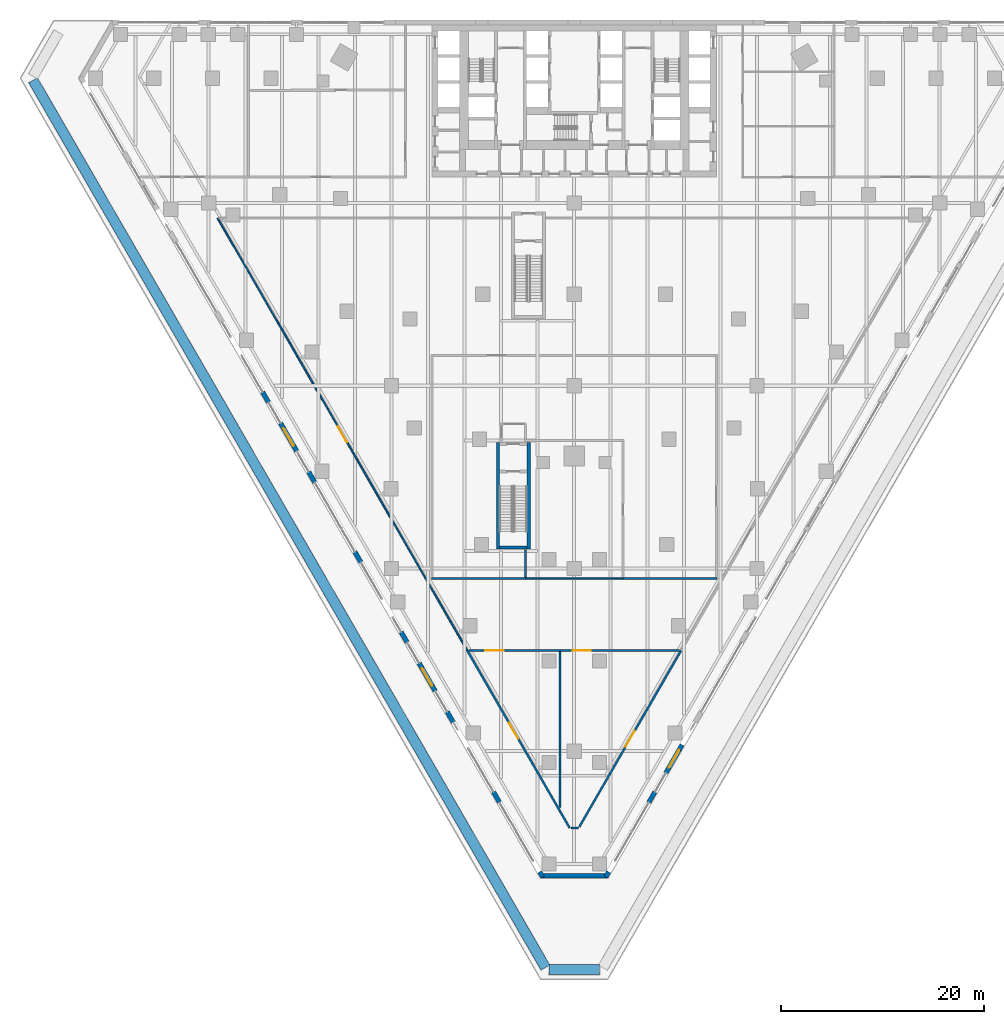
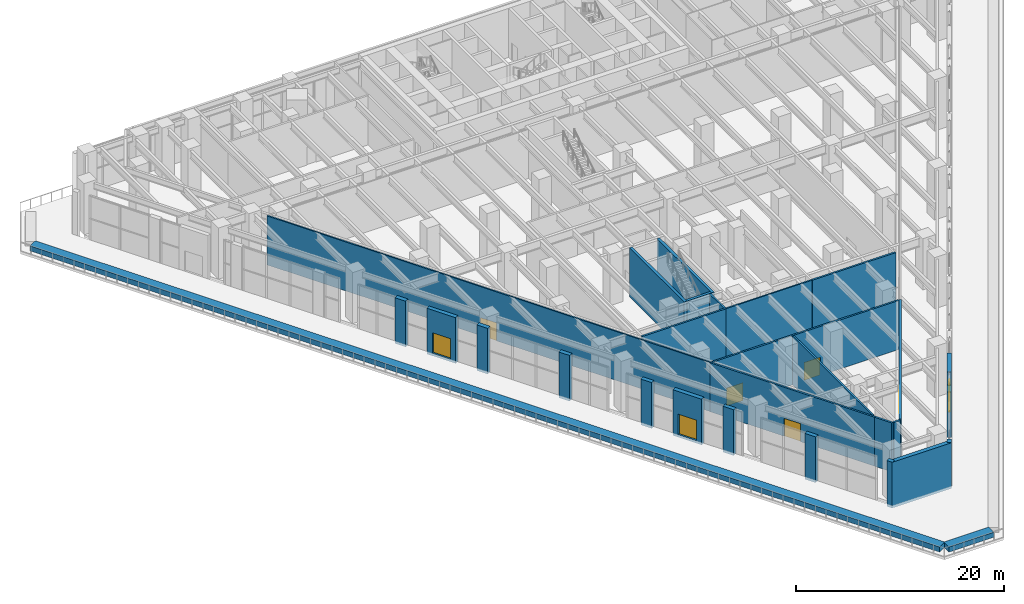
# One storey, part 28 of 40: 30 walls, 8 doors, 8 openings.
"""IFC4 building model written with IfcOpenShell, lengths in metres."""

from ifc_helpers import new_model, si_unit, direction, frame, frame_2d, origin, place, context, subcontext, project, spatial, polyline, rectangle, outline, extrude, material, layer, layer_set, type_object, element, fill, save


model = new_model("IFC4")

# Units and contexts
model_context = context("Model", 3, precision=1e-05, world=origin(), true_north=direction((0.0, 1.0)))
body_context = subcontext(model_context, "Body", "Model", "MODEL_VIEW")
ifc_project = project(units=[si_unit("LENGTHUNIT", "METRE"), si_unit("AREAUNIT", "SQUARE_METRE"), si_unit("VOLUMEUNIT", "CUBIC_METRE"), si_unit("PLANEANGLEUNIT", "RADIAN"), si_unit("MASSUNIT", "GRAM", prefix="KILO")], contexts=[model_context])

# Site, building, storey
site_placement = place(None, origin())
site = spatial("IfcSite", under=ifc_project, at=site_placement, CompositionType="ELEMENT")
building_placement = place(site_placement, origin())
building = spatial("IfcBuilding", under=site, at=building_placement, Name="Aloe Facet Convention Tower", CompositionType="ELEMENT")
storey_placement = place(building_placement, frame((0.0, 0.0, 13.5)))
storey = spatial("IfcBuildingStorey", under=building, at=storey_placement, Name="L02", CompositionType="ELEMENT", Elevation=13.5)

# Walls
ifc_material_1 = material(Name="Concrete C50/60", Category="concrete")
ifc_layer_1 = layer(ifc_material_1, 0.300048828125)
ifc_layer_set_1 = layer_set([ifc_layer_1], Name="CR-W-RC300-C5060")
wall_type_1 = type_object("IfcWallType", Name="CR-W-RC300-C5060", PredefinedType="SOLIDWALL", material=ifc_layer_set_1)
for number, where, z_axis, x_axis, name in (
    (1, (72.47509765625, 82.89990234375, 0.0), (0.0, 0.0, 1.0), (0.0, 1.0, 0.0), "Exit stair wall L02-01"),
    (2, (75.52490234375, 82.89990234375, 0.0), (0.0, 0.0, 1.0), (0.0, 1.0, 0.0), "Exit stair wall L02-02"),
):
    element("IfcWall", number, at=place(storey_placement, frame(where, z_axis=z_axis, x_axis=x_axis)), inside=storey, type_object=wall_type_1, Name=name, PredefinedType="SOLIDWALL", context=body_context, shape_type="SweptSolid", body=[
        extrude(rectangle(XDim=10.5, YDim=0.300048828125, at=frame_2d((5.25, 0.0))), origin(), (0.0, 0.0, 1.0), 5.75),
    ])
wall_1_placement = place(storey_placement, frame((72.625, 83.050048828125, 0.0), z_axis=(0.0, 0.0, 1.0), x_axis=(1.0, 0.0, 0.0)))
element("IfcWall", 3, at=wall_1_placement, inside=storey, type_object=wall_type_1, Name="Exit stair wall L02-03", PredefinedType="SOLIDWALL", context=body_context, shape_type="SweptSolid", body=[
    extrude(rectangle(XDim=2.75, YDim=0.300048828125, at=frame_2d((1.375, 0.0))), origin(), (0.0, 0.0, 1.0), 5.75),
])
ifc_material_2 = material(Name="Precast concrete C40/50", Category="concrete")
ifc_layer_2 = layer(ifc_material_2, 1.0)
ifc_layer_set_2 = layer_set([ifc_layer_2], Name="EV-PLANTER-BED")
wall_type_2 = type_object("IfcWallType", Name="EV-PLANTER-BED", PredefinedType="STANDARD", material=ifc_layer_set_2)
wall_2_placement = place(storey_placement, frame((82.5, 41.486328125, 0.0), z_axis=(0.0, 0.0, 1.0), x_axis=(-1.0, 0.0, 0.0)))
element("IfcWall", 4, at=wall_2_placement, inside=storey, type_object=wall_type_2, Name="PLANTER PT-L02-1-3", PredefinedType="STANDARD", context=body_context, shape_type="SweptSolid", body=[
    extrude(rectangle(XDim=5.0, YDim=1.0, at=frame_2d((2.5, 0.0))), origin(), (0.0, 0.0, 1.0), 0.60009765625),
])
wall_3_placement = place(storey_placement, frame((77.166015625, 41.67919921875, 0.0), z_axis=(0.0, 0.0, 1.0), x_axis=(-0.500000924498, 0.866024870025, 0.0)))
element("IfcWall", 5, at=wall_3_placement, inside=storey, type_object=wall_type_2, Name="PLANTER PT-L02-1-4", PredefinedType="STANDARD", context=body_context, shape_type="SweptSolid", body=[
    extrude(rectangle(XDim=100.934814453125, YDim=1.0, at=frame_2d((50.46728515625, 0.0))), origin(), (0.0, 0.0, 1.0), 0.60009765625),
])
ifc_material_3 = material(Name="Precast concrete C40/50", Category="concrete")
ifc_layer_3 = layer(ifc_material_3, 0.449951171875)
ifc_layer_set_3 = layer_set([ifc_layer_3], Name="EV-WALL-PIER")
wall_type_3 = type_object("IfcWallType", Name="EV-WALL-PIER", PredefinedType="SOLIDWALL", material=ifc_layer_set_3)
wall_4_placement = place(storey_placement, frame((0.0, 0.0, -0.300048828125)))
element("IfcWall", 6, at=wall_4_placement, inside=storey, type_object=wall_type_3, Name="EP-L02-B", PredefinedType="SOLIDWALL", context=body_context, shape_type="SweptSolid", body=[
    extrude(outline(polyline([(76.699951171875, 50.486328125), (77.089599609375, 50.711181640625), (76.959716796875, 50.936279296875), (83.040283203125, 50.936279296875), (82.910400390625, 50.711181640625), (83.300048828125, 50.486328125), (76.699951171875, 50.486328125)])), origin(), (0.0, 0.0, 1.0), 5.362548828125),
])
ifc_material_4 = material(Name="Precast concrete C40/50", Category="concrete")
ifc_layer_4 = layer(ifc_material_4, 0.449951171875)
ifc_layer_set_4 = layer_set([ifc_layer_4], Name="EV-WALL-STONE")
wall_type_4 = type_object("IfcWallType", Name="EV-WALL-STONE", PredefinedType="SOLIDWALL", material=ifc_layer_set_4)
wall_5_placement = place(storey_placement, frame((49.29833984375, 98.397216796875, -0.300048828125), z_axis=(0.0, 0.0, 1.0), x_axis=(0.500033551112, -0.866006032174, 0.0)))
element("IfcWall", 7, at=wall_5_placement, inside=storey, type_object=wall_type_4, Name="PW-L02-W09", PredefinedType="SOLIDWALL", context=body_context, shape_type="SweptSolid", body=[
    extrude(rectangle(XDim=1.2001953125, YDim=0.449951171875, at=frame_2d((0.60009765625, 0.0))), origin(), (0.0, 0.0, 1.0), 5.362548828125),
])

# Wall, opening, door
wall_6_placement = place(storey_placement, frame((51.0732421875, 95.3232421875, -0.300048828125), z_axis=(0.0, 0.0, 1.0), x_axis=(0.499971222258, -0.866042017984, 0.0)))
wall_6 = element("IfcWall", 8, at=wall_6_placement, inside=storey, type_object=wall_type_4, Name="PW-L02-W10", PredefinedType="SOLIDWALL", context=body_context, shape_type="SweptSolid", body=[
    extrude(rectangle(XDim=3.199951171875, YDim=0.449951171875, at=frame_2d((1.60009765625, 0.0))), origin(), (0.0, 0.0, 1.0), 5.362548828125),
])
opening_1_placement = place(wall_6_placement, frame((0.60009765625, 0.0, 0.300048828125)))
opening_1 = element("IfcOpeningElement", 9, at=opening_1_placement, cuts=wall_6, Name="Opening D-L02-W10", PredefinedType="OPENING", context=body_context, shape_type="SweptSolid", body=[
    extrude(rectangle(XDim=2.0, YDim=2.39990234375, at=frame_2d((1.0, 1.199951171875))), frame((0.0, 0.23486328125, 0.0), z_axis=(0.0, -1.0, 0.0), x_axis=(1.0, 0.0, 0.0)), (0.0, 0.0, 1.0), 0.469970703125),
])
ifc_material_5 = material(Name="Aluminium frame, clear double glazing", Category="aluminium")
door_type_1 = type_object("IfcDoorType", Name="EV-DOOR-HALL", OperationType="DOUBLE_DOOR_SINGLE_SWING", PredefinedType="DOOR", material=ifc_material_5)
door_1_placement = place(opening_1_placement, origin())
door_1 = element("IfcDoor", 10, at=door_1_placement, inside=storey, type_object=door_type_1, Name="D-L02-W10", OperationType="DOUBLE_DOOR_SINGLE_SWING", OverallHeight=2.39990234375, OverallWidth=2.0, PredefinedType="DOOR", context=body_context, shape_type="SweptSolid", body=[
    extrude(rectangle(XDim=2.0, YDim=2.39990234375, at=frame_2d((1.0, 1.199951171875))), frame((0.0, 0.02490234375, 0.0), z_axis=(0.0, -1.0, 0.0), x_axis=(1.0, 0.0, 0.0)), (0.0, 0.0, 1.0), 0.050048828125),
])
fill(opening_1, door_1)

# Walls
wall_7_placement = place(storey_placement, frame((53.847900390625, 90.517333984375, -0.300048828125), z_axis=(0.0, 0.0, 1.0), x_axis=(0.499880961361, -0.866094119867, 0.0)))
element("IfcWall", 11, at=wall_7_placement, inside=storey, type_object=wall_type_4, Name="PW-L02-W11", PredefinedType="SOLIDWALL", context=body_context, shape_type="SweptSolid", body=[
    extrude(rectangle(XDim=1.199951171875, YDim=0.449951171875, at=frame_2d((0.60009765625, 0.0))), origin(), (0.0, 0.0, 1.0), 5.362548828125),
])
for number, where, z_axis, x_axis, name in (
    (12, (58.397216796875, 82.6376953125, -0.300048828125), (0.0, 0.0, 1.0), (0.500033551112, -0.866006032174, 0.0), "PW-L02-W13"),
    (13, (62.946533203125, 74.7578125, -0.300048828125), (0.0, 0.0, 1.0), (0.500033551112, -0.866006032174, 0.0), "PW-L02-W15"),
):
    element("IfcWall", number, at=place(storey_placement, frame(where, z_axis=z_axis, x_axis=x_axis)), inside=storey, type_object=wall_type_4, Name=name, PredefinedType="SOLIDWALL", context=body_context, shape_type="SweptSolid", body=[
        extrude(rectangle(XDim=1.2001953125, YDim=0.449951171875, at=frame_2d((0.60009765625, 0.0))), origin(), (0.0, 0.0, 1.0), 5.362548828125),
    ])

# Wall, opening, door
wall_8_placement = place(storey_placement, frame((64.721435546875, 71.683837890625, -0.300048828125), z_axis=(0.0, 0.0, 1.0), x_axis=(0.499971222258, -0.866042017984, 0.0)))
wall_8 = element("IfcWall", 14, at=wall_8_placement, inside=storey, type_object=wall_type_4, Name="PW-L02-W16", PredefinedType="SOLIDWALL", context=body_context, shape_type="SweptSolid", body=[
    extrude(rectangle(XDim=3.199951171875, YDim=0.449951171875, at=frame_2d((1.60009765625, 0.0))), origin(), (0.0, 0.0, 1.0), 5.362548828125),
])
opening_2_placement = place(wall_8_placement, frame((0.60009765625, 0.0, 0.300048828125)))
opening_2 = element("IfcOpeningElement", 15, at=opening_2_placement, cuts=wall_8, Name="Opening D-L02-W16", PredefinedType="OPENING", context=body_context, shape_type="SweptSolid", body=[
    extrude(rectangle(XDim=2.0, YDim=2.39990234375, at=frame_2d((1.0, 1.199951171875))), frame((0.0, 0.23486328125, 0.0), z_axis=(0.0, -1.0, 0.0), x_axis=(1.0, 0.0, 0.0)), (0.0, 0.0, 1.0), 0.469970703125),
])
door_2_placement = place(opening_2_placement, origin())
door_2 = element("IfcDoor", 16, at=door_2_placement, inside=storey, type_object=door_type_1, Name="D-L02-W16", OperationType="DOUBLE_DOOR_SINGLE_SWING", OverallHeight=2.39990234375, OverallWidth=2.0, PredefinedType="DOOR", context=body_context, shape_type="SweptSolid", body=[
    extrude(rectangle(XDim=2.0, YDim=2.39990234375, at=frame_2d((1.0, 1.199951171875))), frame((0.0, 0.02490234375, 0.0), z_axis=(0.0, -1.0, 0.0), x_axis=(1.0, 0.0, 0.0)), (0.0, 0.0, 1.0), 0.050048828125),
])
fill(opening_2, door_2)

# Walls
wall_9_placement = place(storey_placement, frame((67.49609375, 66.8779296875, -0.300048828125), z_axis=(0.0, 0.0, 1.0), x_axis=(0.499969057507, -0.866043267704, 0.0)))
element("IfcWall", 17, at=wall_9_placement, inside=storey, type_object=wall_type_4, Name="PW-L02-W17", PredefinedType="SOLIDWALL", context=body_context, shape_type="SweptSolid", body=[
    extrude(rectangle(XDim=1.19970703125, YDim=0.449951171875, at=frame_2d((0.599853515625, 0.0))), origin(), (0.0, 0.0, 1.0), 5.362548828125),
])
wall_10_placement = place(storey_placement, frame((72.04541015625, 58.998291015625, -0.300048828125), z_axis=(0.0, 0.0, 1.0), x_axis=(0.500033551112, -0.866006032174, 0.0)))
element("IfcWall", 18, at=wall_10_placement, inside=storey, type_object=wall_type_4, Name="PW-L02-W19", PredefinedType="SOLIDWALL", context=body_context, shape_type="SweptSolid", body=[
    extrude(rectangle(XDim=1.2001953125, YDim=0.449951171875, at=frame_2d((0.60009765625, 0.0))), origin(), (0.0, 0.0, 1.0), 5.362548828125),
])
for number, where, z_axis, x_axis, name in (
    (19, (76.594970703125, 51.118408203125, -0.300048828125), (0.0, 0.0, 1.0), (0.499816412211, -0.866131372301, 0.0), "PW-L02-W21"),
    (20, (83.105224609375, 50.598876953125, -0.300048828125), (0.0, 0.0, 1.0), (0.499816412211, 0.866131372301, 0.0), "PW-L02-E01"),
):
    element("IfcWall", number, at=place(storey_placement, frame(where, z_axis=z_axis, x_axis=x_axis)), inside=storey, type_object=wall_type_4, Name=name, PredefinedType="SOLIDWALL", context=body_context, shape_type="SweptSolid", body=[
        extrude(rectangle(XDim=0.599853515625, YDim=0.449951171875, at=frame_2d((0.2998046875, 0.0))), origin(), (0.0, 0.0, 1.0), 5.362548828125),
    ])
wall_11_placement = place(storey_placement, frame((87.3544921875, 57.958984375, -0.300048828125), z_axis=(0.0, 0.0, 1.0), x_axis=(0.500033551112, 0.866006032174, 0.0)))
element("IfcWall", 21, at=wall_11_placement, inside=storey, type_object=wall_type_4, Name="PW-L02-E03", PredefinedType="SOLIDWALL", context=body_context, shape_type="SweptSolid", body=[
    extrude(rectangle(XDim=1.2001953125, YDim=0.449951171875, at=frame_2d((0.60009765625, 0.0))), origin(), (0.0, 0.0, 1.0), 5.362548828125),
])

# Wall, opening, door
wall_12_placement = place(storey_placement, frame((89.029296875, 60.859619140625, -0.300048828125), z_axis=(0.0, 0.0, 1.0), x_axis=(0.499971222258, 0.866042017984, 0.0)))
wall_12 = element("IfcWall", 22, at=wall_12_placement, inside=storey, type_object=wall_type_4, Name="PW-L02-E04", PredefinedType="SOLIDWALL", context=body_context, shape_type="SweptSolid", body=[
    extrude(rectangle(XDim=3.199951171875, YDim=0.449951171875, at=frame_2d((1.60009765625, 0.0))), origin(), (0.0, 0.0, 1.0), 5.362548828125),
])
opening_3_placement = place(wall_12_placement, frame((0.60009765625, 0.0, 0.300048828125)))
opening_3 = element("IfcOpeningElement", 23, at=opening_3_placement, cuts=wall_12, Name="Opening D-L02-E04", PredefinedType="OPENING", context=body_context, shape_type="SweptSolid", body=[
    extrude(rectangle(XDim=2.0, YDim=2.39990234375, at=frame_2d((1.0, 1.199951171875))), frame((0.0, 0.23486328125, 0.0), z_axis=(0.0, -1.0, 0.0), x_axis=(1.0, 0.0, 0.0)), (0.0, 0.0, 1.0), 0.469970703125),
])
door_3_placement = place(opening_3_placement, origin())
door_3 = element("IfcDoor", 24, at=door_3_placement, inside=storey, type_object=door_type_1, Name="D-L02-E04", OperationType="DOUBLE_DOOR_SINGLE_SWING", OverallHeight=2.39990234375, OverallWidth=2.0, PredefinedType="DOOR", context=body_context, shape_type="SweptSolid", body=[
    extrude(rectangle(XDim=2.0, YDim=2.39990234375, at=frame_2d((1.0, 1.199951171875))), frame((0.0, 0.02490234375, 0.0), z_axis=(0.0, -1.0, 0.0), x_axis=(1.0, 0.0, 0.0)), (0.0, 0.0, 1.0), 0.050048828125),
])
fill(opening_3, door_3)

# Walls
ifc_material_6 = material(Name="Masonry blockwork wall, plastered", Category="masonry")
ifc_layer_5 = layer(ifc_material_6, 0.199951171875)
ifc_layer_set_5 = layer_set([ifc_layer_5], Name="IN-POD-W-ASSY")
wall_type_5 = type_object("IfcWallType", Name="IN-POD-W-ASSY", PredefinedType="PARTITIONING", material=ifc_layer_set_5)
wall_13_placement = place(storey_placement, frame((78.60009765625, 57.095458984375, 0.0), z_axis=(0.0, 0.0, 1.0), x_axis=(0.499935729284, -0.86606250732, 0.0)))
element("IfcWall", 25, at=wall_13_placement, inside=storey, type_object=wall_type_5, Name="Partition L02-W001", PredefinedType="PARTITIONING", context=body_context, shape_type="SweptSolid", body=[
    extrude(rectangle(XDim=1.915771484375, YDim=0.199951171875, at=frame_2d((0.9580078125, 0.0))), origin(), (0.0, 0.0, 1.0), 5.75),
])
wall_14_placement = place(storey_placement, frame((79.687744140625, 55.436279296875, 0.0), z_axis=(0.0, 0.0, 1.0), x_axis=(1.0, 0.0, 0.0)))
element("IfcWall", 26, at=wall_14_placement, inside=storey, type_object=wall_type_5, Name="Partition L02-W002", PredefinedType="PARTITIONING", context=body_context, shape_type="SweptSolid", body=[
    extrude(rectangle(XDim=0.75439453125, YDim=0.199951171875, at=frame_2d((0.377197265625, 0.0))), origin(), (0.0, 0.0, 1.0), 5.75),
])

# Wall, opening, door
wall_15_placement = place(storey_placement, frame((69.47509765625, 72.89990234375, 0.0), z_axis=(0.0, 0.0, 1.0), x_axis=(0.500012344312, -0.866018276675, 0.0)))
wall_15 = element("IfcWall", 27, at=wall_15_placement, inside=storey, type_object=wall_type_5, Name="Partition L02-W003", PredefinedType="PARTITIONING", context=body_context, shape_type="SweptSolid", body=[
    extrude(rectangle(XDim=18.24951171875, YDim=0.199951171875, at=frame_2d((9.124755859375, 0.0))), origin(), (0.0, 0.0, 1.0), 5.75),
])
opening_4_placement = place(wall_15_placement, frame((8.224853515625, 0.0, 0.0)))
opening_4 = element("IfcOpeningElement", 28, at=opening_4_placement, cuts=wall_15, Name="Opening L02-018", PredefinedType="OPENING", context=body_context, shape_type="SweptSolid", body=[
    extrude(rectangle(XDim=1.800048828125, YDim=2.10009765625, at=frame_2d((0.89990234375, 1.050048828125))), frame((0.0, 0.10986328125, 0.0), z_axis=(0.0, -1.0, 0.0), x_axis=(1.0, 0.0, 0.0)), (0.0, 0.0, 1.0), 0.219970703125),
])
ifc_material_7 = material(Name="Hardwood flush door pair", Category="wood")
door_type_2 = type_object("IfcDoorType", Name="IN-POD-D-PAIR", OperationType="DOUBLE_DOOR_SINGLE_SWING", PredefinedType="DOOR", material=ifc_material_7)
door_4_placement = place(opening_4_placement, origin())
door_4 = element("IfcDoor", 29, at=door_4_placement, inside=storey, type_object=door_type_2, Name="Door L02-018", OperationType="SINGLE_SWING_LEFT", OverallHeight=2.10009765625, OverallWidth=1.800048828125, PredefinedType="DOOR", context=body_context, shape_type="SweptSolid", body=[
    extrude(rectangle(XDim=1.800048828125, YDim=2.10009765625, at=frame_2d((0.89990234375, 1.050048828125))), frame((0.0, 0.02490234375, 0.0), z_axis=(0.0, -1.0, 0.0), x_axis=(1.0, 0.0, 0.0)), (0.0, 0.0, 1.0), 0.050048828125),
])
fill(opening_4, door_4)

# Wall
wall_16_placement = place(storey_placement, frame((78.60009765625, 57.4404296875, 0.0), z_axis=(0.0, 0.0, 1.0), x_axis=(0.0, 1.0, 0.0)))
element("IfcWall", 30, at=wall_16_placement, inside=storey, type_object=wall_type_5, Name="Partition L02-W004", PredefinedType="PARTITIONING", context=body_context, shape_type="SweptSolid", body=[
    extrude(rectangle(XDim=15.37451171875, YDim=0.199951171875, at=frame_2d((7.687255859375, 0.0))), origin(), (0.0, 0.0, 1.0), 5.75),
])

# Wall, opening, door
wall_17_placement = place(storey_placement, frame((69.630126953125, 72.89990234375, 0.0), z_axis=(0.0, 0.0, 1.0), x_axis=(1.0, 0.0, 0.0)))
wall_17 = element("IfcWall", 31, at=wall_17_placement, inside=storey, type_object=wall_type_5, Name="Partition L02-W005", PredefinedType="PARTITIONING", context=body_context, shape_type="SweptSolid", body=[
    extrude(rectangle(XDim=8.969970703125, YDim=0.199951171875, at=frame_2d((4.48486328125, 0.0))), origin(), (0.0, 0.0, 1.0), 5.75),
])
opening_5_placement = place(wall_17_placement, frame((1.614013671875, 0.0, 0.0)))
opening_5 = element("IfcOpeningElement", 32, at=opening_5_placement, cuts=wall_17, Name="Opening L02-019", PredefinedType="OPENING", context=body_context, shape_type="SweptSolid", body=[
    extrude(rectangle(XDim=1.800048828125, YDim=2.10009765625, at=frame_2d((0.89990234375, 1.050048828125))), frame((0.0, 0.10986328125, 0.0), z_axis=(0.0, -1.0, 0.0), x_axis=(1.0, 0.0, 0.0)), (0.0, 0.0, 1.0), 0.219970703125),
])
door_5_placement = place(opening_5_placement, origin())
door_5 = element("IfcDoor", 33, at=door_5_placement, inside=storey, type_object=door_type_2, Name="Door L02-019", OperationType="SINGLE_SWING_LEFT", OverallHeight=2.10009765625, OverallWidth=1.800048828125, PredefinedType="DOOR", context=body_context, shape_type="SweptSolid", body=[
    extrude(rectangle(XDim=1.800048828125, YDim=2.10009765625, at=frame_2d((0.89990234375, 1.050048828125))), frame((0.0, 0.02490234375, 0.0), z_axis=(0.0, -1.0, 0.0), x_axis=(1.0, 0.0, 0.0)), (0.0, 0.0, 1.0), 0.050048828125),
])
fill(opening_5, door_5)

wall_18_placement = place(storey_placement, frame((78.60009765625, 72.89990234375, 0.0), z_axis=(0.0, 0.0, 1.0), x_axis=(1.0, 0.0, 0.0)))
wall_18 = element("IfcWall", 34, at=wall_18_placement, inside=storey, type_object=wall_type_5, Name="Partition L02-W007", PredefinedType="PARTITIONING", context=body_context, shape_type="SweptSolid", body=[
    extrude(rectangle(XDim=11.769775390625, YDim=0.199951171875, at=frame_2d((5.884765625, 0.0))), origin(), (0.0, 0.0, 1.0), 5.75),
])
opening_6_placement = place(wall_18_placement, frame((1.237060546875, 0.0, 0.0)))
opening_6 = element("IfcOpeningElement", 35, at=opening_6_placement, cuts=wall_18, Name="Opening L02-021", PredefinedType="OPENING", context=body_context, shape_type="SweptSolid", body=[
    extrude(rectangle(XDim=1.800048828125, YDim=2.10009765625, at=frame_2d((0.89990234375, 1.050048828125))), frame((0.0, 0.10986328125, 0.0), z_axis=(0.0, -1.0, 0.0), x_axis=(1.0, 0.0, 0.0)), (0.0, 0.0, 1.0), 0.219970703125),
])
door_6_placement = place(opening_6_placement, origin())
door_6 = element("IfcDoor", 36, at=door_6_placement, inside=storey, type_object=door_type_2, Name="Door L02-021", OperationType="SINGLE_SWING_LEFT", OverallHeight=2.10009765625, OverallWidth=1.800048828125, PredefinedType="DOOR", context=body_context, shape_type="SweptSolid", body=[
    extrude(rectangle(XDim=1.800048828125, YDim=2.10009765625, at=frame_2d((0.89990234375, 1.050048828125))), frame((0.0, 0.02490234375, 0.0), z_axis=(0.0, -1.0, 0.0), x_axis=(1.0, 0.0, 0.0)), (0.0, 0.0, 1.0), 0.050048828125),
])
fill(opening_6, door_6)

wall_19_placement = place(storey_placement, frame((80.507080078125, 55.548828125, 0.0), z_axis=(0.0, 0.0, 1.0), x_axis=(0.500006546955, 0.866021623865, 0.0)))
wall_19 = element("IfcWall", 37, at=wall_19_placement, inside=storey, type_object=wall_type_5, Name="Partition L02-W008", PredefinedType="PARTITIONING", context=body_context, shape_type="SweptSolid", body=[
    extrude(rectangle(XDim=20.035400390625, YDim=0.199951171875, at=frame_2d((10.017578125, 0.0))), origin(), (0.0, 0.0, 1.0), 5.75),
])
opening_7_placement = place(wall_19_placement, frame((9.11767578125, 0.0, 0.0)))
opening_7 = element("IfcOpeningElement", 38, at=opening_7_placement, cuts=wall_19, Name="Opening L02-020", PredefinedType="OPENING", context=body_context, shape_type="SweptSolid", body=[
    extrude(rectangle(XDim=1.800048828125, YDim=2.10009765625, at=frame_2d((0.89990234375, 1.050048828125))), frame((0.0, 0.10986328125, 0.0), z_axis=(0.0, -1.0, 0.0), x_axis=(1.0, 0.0, 0.0)), (0.0, 0.0, 1.0), 0.219970703125),
])
door_7_placement = place(opening_7_placement, origin())
door_7 = element("IfcDoor", 39, at=door_7_placement, inside=storey, type_object=door_type_2, Name="Door L02-020", OperationType="SINGLE_SWING_LEFT", OverallHeight=2.10009765625, OverallWidth=1.800048828125, PredefinedType="DOOR", context=body_context, shape_type="SweptSolid", body=[
    extrude(rectangle(XDim=1.800048828125, YDim=2.10009765625, at=frame_2d((0.89990234375, 1.050048828125))), frame((0.0, 0.02490234375, 0.0), z_axis=(0.0, -1.0, 0.0), x_axis=(1.0, 0.0, 0.0)), (0.0, 0.0, 1.0), 0.050048828125),
])
fill(opening_7, door_7)

# Walls
wall_20_placement = place(storey_placement, frame((65.925537109375, 80.0, 0.0), z_axis=(0.0, 0.0, 1.0), x_axis=(1.0, 0.0, 0.0)))
element("IfcWall", 40, at=wall_20_placement, inside=storey, type_object=wall_type_5, Name="Partition L02-W009", PredefinedType="PARTITIONING", context=body_context, shape_type="SweptSolid", body=[
    extrude(rectangle(XDim=9.284423828125, YDim=0.199951171875, at=frame_2d((4.64208984375, 0.0))), origin(), (0.0, 0.0, 1.0), 5.75),
])
wall_21_placement = place(storey_placement, frame((75.209716796875, 80.0849609375, 0.0), z_axis=(0.0, 0.0, 1.0), x_axis=(-0.003494038769, 0.999993895828, 0.0)))
element("IfcWall", 41, at=wall_21_placement, inside=storey, type_object=wall_type_5, Name="Partition L02-W011", PredefinedType="PARTITIONING", context=body_context, shape_type="SweptSolid", body=[
    extrude(rectangle(XDim=2.794921875, YDim=0.199951171875, at=frame_2d((1.3974609375, 0.0))), origin(), (0.0, 0.0, 1.0), 5.75),
])
wall_22_placement = place(storey_placement, frame((84.81005859375, 80.0, 0.0), z_axis=(0.0, 0.0, 1.0), x_axis=(1.0, 0.0, 0.0)))
element("IfcWall", 42, at=wall_22_placement, inside=storey, type_object=wall_type_5, Name="Partition L02-W012", PredefinedType="PARTITIONING", context=body_context, shape_type="SweptSolid", body=[
    extrude(rectangle(XDim=9.264404296875, YDim=0.199951171875, at=frame_2d((4.63232421875, 0.0))), origin(), (0.0, 0.0, 1.0), 5.75),
])

# Wall, opening, door
ifc_material_8 = material(Name="Gypsum board partition on steel studs, double layer", Category="steel")
ifc_layer_6 = layer(ifc_material_8, 0.14990234375)
ifc_layer_set_6 = layer_set([ifc_layer_6], Name="IN-POD-W-CORR")
wall_type_6 = type_object("IfcWallType", Name="IN-POD-W-CORR", PredefinedType="PARTITIONING", material=ifc_layer_set_6)
wall_23_placement = place(storey_placement, frame((44.880126953125, 115.5, 0.0), z_axis=(0.0, 0.0, 1.0), x_axis=(0.499996841654, -0.866027227249, 0.0)))
wall_23 = element("IfcWall", 43, at=wall_23_placement, inside=storey, type_object=wall_type_6, Name="Partition L02-W006", PredefinedType="PARTITIONING", context=body_context, shape_type="SweptSolid", body=[
    extrude(rectangle(XDim=49.190185546875, YDim=0.14990234375, at=frame_2d((24.59521484375, 0.0))), origin(), (0.0, 0.0, 1.0), 5.75),
])
opening_8_placement = place(wall_23_placement, frame((23.695068359375, 0.0, 0.0)))
opening_8 = element("IfcOpeningElement", 44, at=opening_8_placement, cuts=wall_23, Name="Opening L02-016", PredefinedType="OPENING", context=body_context, shape_type="SweptSolid", body=[
    extrude(rectangle(XDim=1.800048828125, YDim=2.10009765625, at=frame_2d((0.89990234375, 1.050048828125))), frame((0.0, 0.0849609375, 0.0), z_axis=(0.0, -1.0, 0.0), x_axis=(1.0, 0.0, 0.0)), (0.0, 0.0, 1.0), 0.169921875),
])
door_8_placement = place(opening_8_placement, origin())
door_8 = element("IfcDoor", 45, at=door_8_placement, inside=storey, type_object=door_type_2, Name="Door L02-016", OperationType="SINGLE_SWING_LEFT", OverallHeight=2.10009765625, OverallWidth=1.800048828125, PredefinedType="DOOR", context=body_context, shape_type="SweptSolid", body=[
    extrude(rectangle(XDim=1.800048828125, YDim=2.10009765625, at=frame_2d((0.89990234375, 1.050048828125))), frame((0.0, 0.02490234375, 0.0), z_axis=(0.0, -1.0, 0.0), x_axis=(1.0, 0.0, 0.0)), (0.0, 0.0, 1.0), 0.050048828125),
])
fill(opening_8, door_8)

# Wall
wall_24_placement = place(storey_placement, frame((75.2099609375, 80.0, 0.0), z_axis=(0.0, 0.0, 1.0), x_axis=(1.0, 0.0, 0.0)))
element("IfcWall", 46, at=wall_24_placement, inside=storey, type_object=wall_type_6, Name="Partition L02-W010", PredefinedType="PARTITIONING", context=body_context, shape_type="SweptSolid", body=[
    extrude(rectangle(XDim=9.60009765625, YDim=0.14990234375, at=frame_2d((4.800048828125, 0.0))), origin(), (0.0, 0.0, 1.0), 5.75),
])

save(model, "model.ifc")
